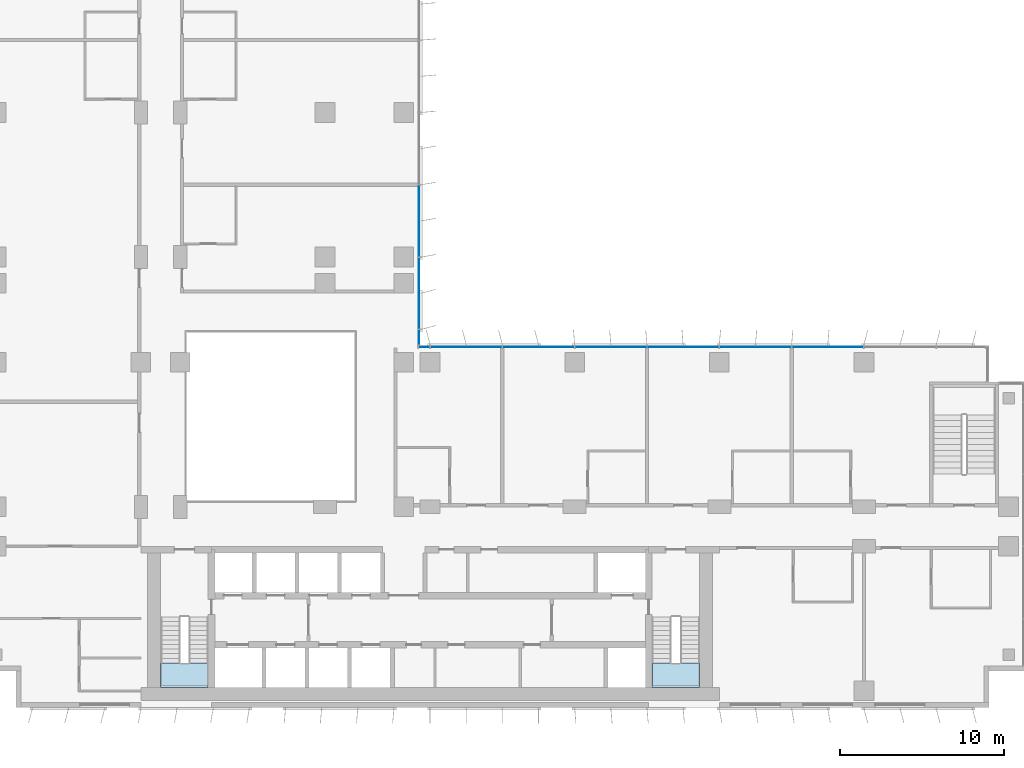
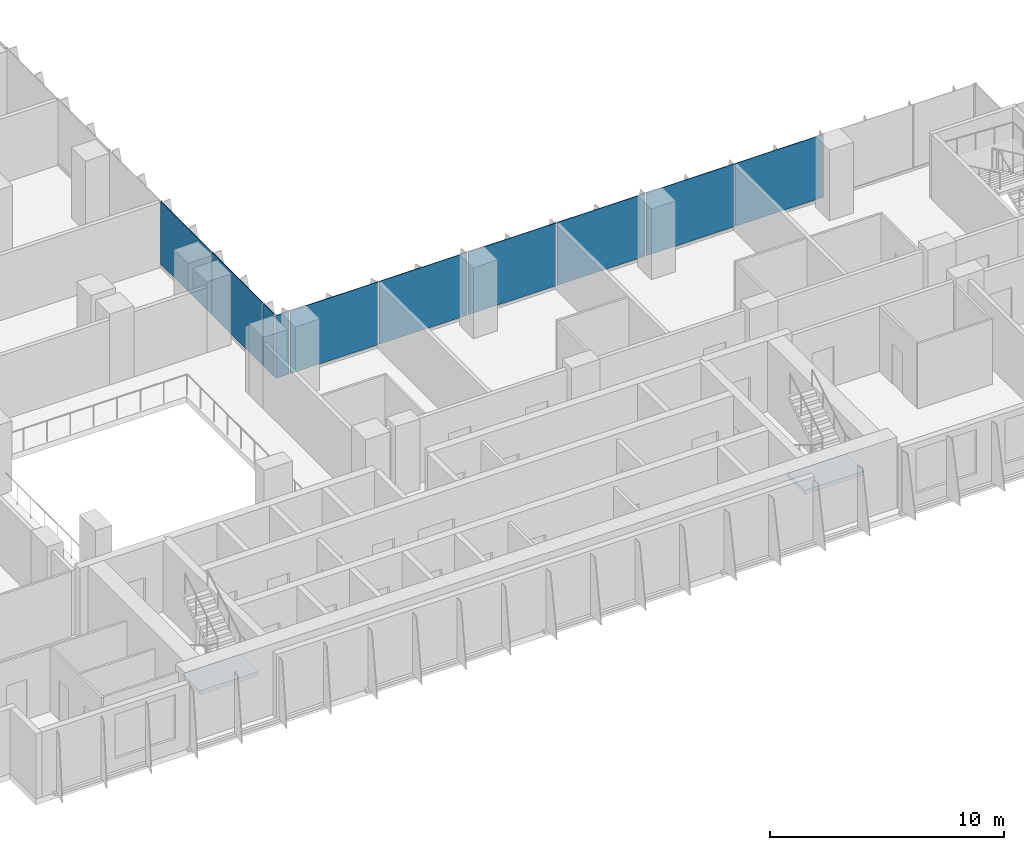
# One storey, part 10 of 22: 10 plates, 2 slabs, 4 elements without a shape of their own.
"""IFC4 building model written with IfcOpenShell, lengths in metres."""

from ifc_helpers import new_model, si_unit, direction, frame, origin, origin_2d, place, context, subcontext, project, spatial, polyline, rectangle, outline, extrude, source, transform, mapped, material, layer, layer_set, type_object, element, aggregate, save


model = new_model("IFC4")

# Units and contexts
model_context = context("Model", 3, precision=1e-05, world=origin(), true_north=direction((0.0, 1.0)))
body_context = subcontext(model_context, "Body", "Model", "MODEL_VIEW")
ifc_project = project(units=[si_unit("LENGTHUNIT", "METRE"), si_unit("AREAUNIT", "SQUARE_METRE"), si_unit("VOLUMEUNIT", "CUBIC_METRE"), si_unit("PLANEANGLEUNIT", "RADIAN"), si_unit("MASSUNIT", "GRAM", prefix="KILO")], contexts=[model_context])

# Site, building, storey
site_placement = place(None, origin())
site = spatial("IfcSite", under=ifc_project, at=site_placement, CompositionType="ELEMENT")
building_placement = place(site_placement, origin())
building = spatial("IfcBuilding", under=site, at=building_placement, Name="Kemantara Hotel Tower", CompositionType="ELEMENT")
storey_placement = place(building_placement, frame((0.0, 0.0, 125.89990234375)))
storey = spatial("IfcBuildingStorey", under=building, at=storey_placement, Name="L30", CompositionType="ELEMENT", Elevation=125.89990234375)

# Stair, slab
ifc_material_1 = material(Name="Concrete fc 40 MPa", Category="concrete")
stair_type = type_object("IfcStairType", Name="Stair 1200 wide 22 risers of 168 x 280 mm", PredefinedType="HALF_TURN_STAIR", material=ifc_material_1)
stair_1_placement = place(storey_placement, origin())
stair_1 = element("IfcStair", 1, at=stair_1_placement, inside=storey, type_object=stair_type, Name="L30 Exit stair ST1", PredefinedType="HALF_TURN_STAIR")
ifc_layer_1 = layer(ifc_material_1, 0.199951171875)
ifc_layer_set_1 = layer_set([ifc_layer_1], Name="Concrete fc 40 MPa")
slab_type = type_object("IfcSlabType", Name="Stair landing 200 mm", PredefinedType="LANDING", material=ifc_layer_set_1)
slab_1_placement = place(storey_placement, frame((0.0, 0.0, 1.650146484375)))
slab_1 = element("IfcSlab", 2, at=slab_1_placement, type_object=slab_type, Name="ST1 landing 1", PredefinedType="LANDING", context=body_context, shape_type="SweptSolid", body=[
    extrude(outline(polyline([(11.0, 2.699951171875), (11.0, 1.199951171875), (13.89990234375, 1.199951171875), (13.89990234375, 2.699951171875), (11.0, 2.699951171875)])), origin(), (0.0, 0.0, 1.0), 0.199951171875),
])
aggregate(stair_1, [slab_1])

stair_2_placement = place(storey_placement, origin())
stair_2 = element("IfcStair", 3, at=stair_2_placement, inside=storey, type_object=stair_type, Name="L30 Exit stair ST2", PredefinedType="HALF_TURN_STAIR")
slab_2_placement = place(storey_placement, frame((0.0, 0.0, 1.650146484375)))
slab_2 = element("IfcSlab", 4, at=slab_2_placement, type_object=slab_type, Name="ST2 landing 1", PredefinedType="LANDING", context=body_context, shape_type="SweptSolid", body=[
    extrude(outline(polyline([(40.89990234375, 2.699951171875), (40.89990234375, 1.199951171875), (43.800048828125, 1.199951171875), (43.800048828125, 2.699951171875), (40.89990234375, 2.699951171875)])), origin(), (0.0, 0.0, 1.0), 0.199951171875),
])
aggregate(stair_2, [slab_2])

# Curtain wall, plates
ifc_material_2 = material(Name="Low-E tinted double insulated glass 36 mm", Category="glass")
curtain_wall_type = type_object("IfcCurtainWallType", Name="TOWER CURTAIN WALL, FRONT FACES", PredefinedType="USERDEFINED", material=ifc_material_2)
curtain_wall_1_placement = place(storey_placement, origin())
curtain_wall_1 = element("IfcCurtainWall", 5, at=curtain_wall_1_placement, inside=storey, type_object=curtain_wall_type, Name="CW4 L30 T2-R13-1", ObjectType="TOWER CURTAIN WALL, FRONT FACES", PredefinedType="USERDEFINED")
ifc_layer_2 = layer(ifc_material_2, 0.035888671875)
ifc_layer_set_2 = layer_set([ifc_layer_2], Name="Low-E tinted double insulated glass 36 mm")
plate_type = type_object("IfcPlateType", Name="TOWER CURTAIN WALL, FRONT FACES PANEL", PredefinedType="CURTAIN_PANEL", material=ifc_layer_set_2)
shared_shape_1 = source(origin(), body_context, "Body", "SweptSolid", [
    extrude(rectangle(XDim=4.340087890625, YDim=0.035888671875, at=origin_2d()), origin(), (0.0, 0.0, 1.0), 3.280029296875),
])
plate_1_placement = place(storey_placement, frame((51.60009765625, 21.925048828125, 0.1201171875), z_axis=(0.0, 0.0, 1.0), x_axis=(-1.0, 0.0, 0.0)))
plate_1 = element("IfcPlate", 6, at=plate_1_placement, type_object=plate_type, Name="CW4 glass panel T2-R13-1.3", PredefinedType="CURTAIN_PANEL", context=body_context, shape_type="MappedRepresentation", body=[
    mapped(shared_shape_1, transform((0.0, 0.0, 0.0))),
])
plate_2_placement = place(storey_placement, frame((47.199951171875, 21.925048828125, 0.1201171875), z_axis=(0.0, 0.0, 1.0), x_axis=(-1.0, 0.0, 0.0)))
plate_2 = element("IfcPlate", 7, at=plate_2_placement, type_object=plate_type, Name="CW4 glass panel T2-R13-1.4", PredefinedType="CURTAIN_PANEL", context=body_context, shape_type="MappedRepresentation", body=[
    mapped(shared_shape_1, transform((0.0, 0.0, 0.0))),
])
plate_3_placement = place(storey_placement, frame((42.800048828125, 21.925048828125, 0.1201171875), z_axis=(0.0, 0.0, 1.0), x_axis=(-1.0, 0.0, 0.0)))
plate_3 = element("IfcPlate", 8, at=plate_3_placement, type_object=plate_type, Name="CW4 glass panel T2-R13-1.5", PredefinedType="CURTAIN_PANEL", context=body_context, shape_type="MappedRepresentation", body=[
    mapped(shared_shape_1, transform((0.0, 0.0, 0.0))),
])
plate_4_placement = place(storey_placement, frame((38.39990234375, 21.925048828125, 0.1201171875), z_axis=(0.0, 0.0, 1.0), x_axis=(-1.0, 0.0, 0.0)))
plate_4 = element("IfcPlate", 9, at=plate_4_placement, type_object=plate_type, Name="CW4 glass panel T2-R13-1.6", PredefinedType="CURTAIN_PANEL", context=body_context, shape_type="MappedRepresentation", body=[
    mapped(shared_shape_1, transform((0.0, 0.0, 0.0))),
])
plate_5_placement = place(storey_placement, frame((34.0, 21.925048828125, 0.1201171875), z_axis=(0.0, 0.0, 1.0), x_axis=(-1.0, 0.0, 0.0)))
plate_5 = element("IfcPlate", 10, at=plate_5_placement, type_object=plate_type, Name="CW4 glass panel T2-R13-1.7", PredefinedType="CURTAIN_PANEL", context=body_context, shape_type="MappedRepresentation", body=[
    mapped(shared_shape_1, transform((0.0, 0.0, 0.0))),
])
plate_6_placement = place(storey_placement, frame((29.60009765625, 21.925048828125, 0.1201171875), z_axis=(0.0, 0.0, 1.0), x_axis=(-1.0, 0.0, 0.0)))
plate_6 = element("IfcPlate", 11, at=plate_6_placement, type_object=plate_type, Name="CW4 glass panel T2-R13-1.8", PredefinedType="CURTAIN_PANEL", context=body_context, shape_type="MappedRepresentation", body=[
    mapped(shared_shape_1, transform((0.0, 0.0, 0.0))),
])

curtain_wall_2_placement = place(storey_placement, origin())
curtain_wall_2 = element("IfcCurtainWall", 12, at=curtain_wall_2_placement, inside=storey, type_object=curtain_wall_type, Name="CW4 L30 T2-R14-1", ObjectType="TOWER CURTAIN WALL, FRONT FACES", PredefinedType="USERDEFINED")
plate_7_placement = place(storey_placement, frame((26.72509765625, 25.199951171875, 0.1201171875), z_axis=(0.0, 0.0, 1.0), x_axis=(0.0, 1.0, 0.0)))
plate_7 = element("IfcPlate", 13, at=plate_7_placement, type_object=plate_type, Name="CW4 glass panel T2-R14-1.2", PredefinedType="CURTAIN_PANEL", context=body_context, shape_type="MappedRepresentation", body=[
    mapped(shared_shape_1, transform((0.0, 0.0, 0.0))),
])
plate_8_placement = place(storey_placement, frame((26.72509765625, 29.60009765625, 0.1201171875), z_axis=(0.0, 0.0, 1.0), x_axis=(0.0, 1.0, 0.0)))
plate_8 = element("IfcPlate", 14, at=plate_8_placement, type_object=plate_type, Name="CW4 glass panel T2-R14-1.3", PredefinedType="CURTAIN_PANEL", context=body_context, shape_type="MappedRepresentation", body=[
    mapped(shared_shape_1, transform((0.0, 0.0, 0.0))),
])

# Plate
shared_shape_2 = source(origin(), body_context, "Body", "SweptSolid", [
    extrude(rectangle(XDim=0.659912109375, YDim=0.035888671875, at=origin_2d()), origin(), (0.0, 0.0, 1.0), 3.280029296875),
])
plate_9_placement = place(storey_placement, frame((27.0400390625, 21.925048828125, 0.1201171875), z_axis=(0.0, 0.0, 1.0), x_axis=(-1.0, 0.0, 0.0)))
plate_9 = element("IfcPlate", 15, at=plate_9_placement, type_object=plate_type, Name="CW4 glass panel T2-R13-1.9", PredefinedType="CURTAIN_PANEL", context=body_context, shape_type="MappedRepresentation", body=[
    mapped(shared_shape_2, transform((0.0, 0.0, 0.0))),
])

aggregate(curtain_wall_1, [plate_1, plate_2, plate_3, plate_4, plate_5, plate_6, plate_9])

shared_shape_3 = source(origin(), body_context, "Body", "SweptSolid", [
    extrude(rectangle(XDim=0.909912109375, YDim=0.035888671875, at=origin_2d()), origin(), (0.0, 0.0, 1.0), 3.280029296875),
])
plate_10_placement = place(storey_placement, frame((26.72509765625, 22.514892578125, 0.1201171875), z_axis=(0.0, 0.0, 1.0), x_axis=(0.0, 1.0, 0.0)))
plate_10 = element("IfcPlate", 16, at=plate_10_placement, type_object=plate_type, Name="CW4 glass panel T2-R14-1.1", PredefinedType="CURTAIN_PANEL", context=body_context, shape_type="MappedRepresentation", body=[
    mapped(shared_shape_3, transform((0.0, 0.0, 0.0))),
])

aggregate(curtain_wall_2, [plate_10, plate_7, plate_8])

save(model, "model.ifc")
